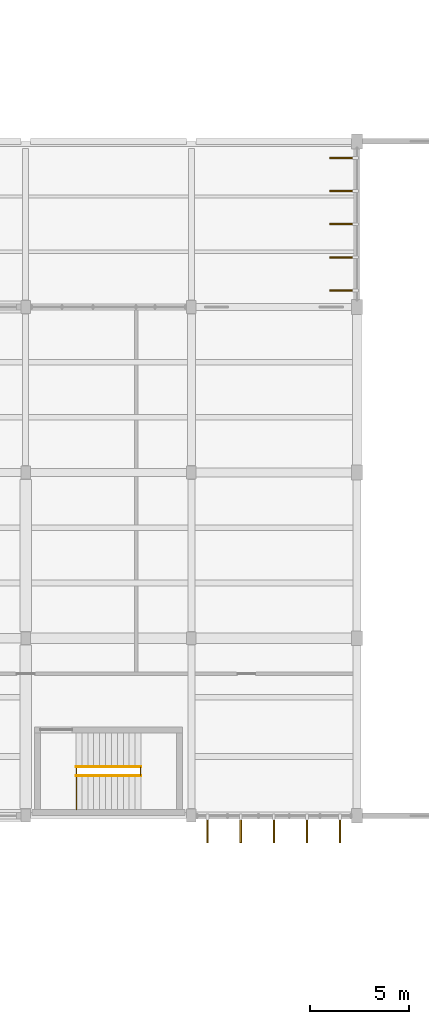
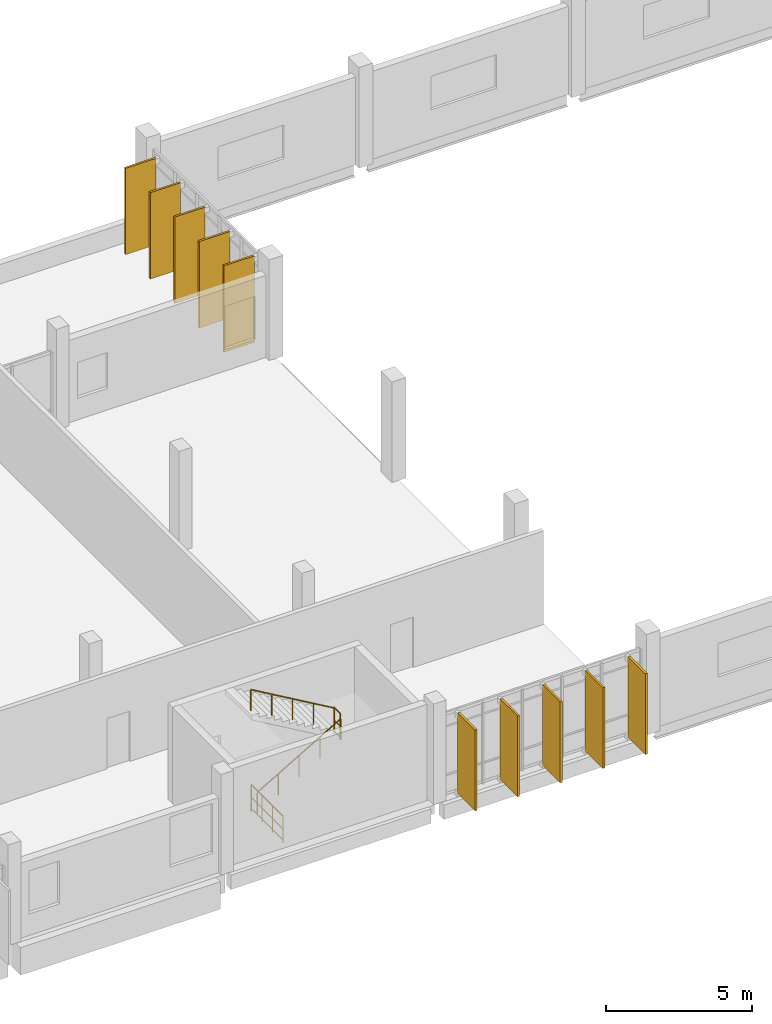
# One storey, part 100 of 101: 10 shading devices, 4 railings.
"""IFC4 building model written with IfcOpenShell, lengths in metres."""

from ifc_helpers import new_model, si_unit, direction, frame, origin, origin_2d, place, context, subcontext, project, spatial, rectangle, circle, extrude, material, material_profile, profile_set, type_object, element, save


model = new_model("IFC4")

# Units and contexts
model_context = context("Model", 3, precision=1e-05, world=origin(), true_north=direction((0.0, 1.0)))
body_context = subcontext(model_context, "Body", "Model", "MODEL_VIEW")
ifc_project = project(units=[si_unit("LENGTHUNIT", "METRE"), si_unit("AREAUNIT", "SQUARE_METRE"), si_unit("VOLUMEUNIT", "CUBIC_METRE"), si_unit("PLANEANGLEUNIT", "RADIAN"), si_unit("MASSUNIT", "GRAM", prefix="KILO")], contexts=[model_context])

# Site, building, storey
site_placement = place(None, origin())
site = spatial("IfcSite", under=ifc_project, at=site_placement, CompositionType="ELEMENT")
building_placement = place(site_placement, origin())
building = spatial("IfcBuilding", under=site, at=building_placement, Name="Vireocrest Preparatory School", CompositionType="ELEMENT")
storey_placement = place(building_placement, frame((0.0, 0.0, 4.800048828125)))
storey = spatial("IfcBuildingStorey", under=building, at=storey_placement, Name="L01", CompositionType="ELEMENT", Elevation=4.800048828125)

# Railings
ifc_material_1 = material(Name="Brushed stainless steel AISI 316", Category="steel")
railing_type_1 = type_object("IfcRailingType", Name="Post-and-Rail Guard Balustrade 1120", PredefinedType="BALUSTRADE", material=ifc_material_1)
railing_1_placement = place(storey_placement, frame((128.570068359375, 18.300048828125, 0.0)))
element("IfcRailing", 1, at=railing_1_placement, inside=storey, type_object=railing_type_1, Name="Arrival Landing Guard ST6-L00", PredefinedType="BALUSTRADE", context=body_context, shape_type="SweptSolid", body=[
    extrude(circle(Radius=0.02392578125, at=origin_2d()), frame((0.0, 0.0, 1.09619140625), z_axis=(0.0, 1.0, 0.0), x_axis=(-1.0, 0.0, 0.0)), (0.0, 0.0, 1.0), 2.169921875),
    extrude(circle(Radius=0.01806640625, at=origin_2d()), frame((0.0, 0.0, 0.56005859375), z_axis=(0.0, 1.0, 0.0), x_axis=(-1.0, 0.0, 0.0)), (0.0, 0.0, 1.0), 2.169921875),
    extrude(circle(Radius=0.01806640625, at=origin_2d()), frame((0.0, 0.0, 0.10009765625), z_axis=(0.0, 1.0, 0.0), x_axis=(-1.0, 0.0, 0.0)), (0.0, 0.0, 1.0), 2.169921875),
    extrude(circle(Radius=0.02099609375, at=origin_2d()), origin(), (0.0, 0.0, 1.0), 1.072021484375),
    extrude(circle(Radius=0.02099609375, at=origin_2d()), frame((0.0, 0.723388671875, 0.0)), (0.0, 0.0, 1.0), 1.072021484375),
    extrude(circle(Radius=0.02099609375, at=origin_2d()), frame((0.0, 1.446533203125, 0.0)), (0.0, 0.0, 1.0), 1.072021484375),
    extrude(circle(Radius=0.02099609375, at=origin_2d()), frame((0.0, 2.169921875, 0.0)), (0.0, 0.0, 1.0), 1.072021484375),
])
railing_2_placement = place(storey_placement, frame((131.830078125, 20.030029296875, 2.099853515625)))
element("IfcRailing", 2, at=railing_2_placement, inside=storey, type_object=railing_type_1, Name="Half-Landing Well Guard ST6-L01", PredefinedType="BALUSTRADE", context=body_context, shape_type="SweptSolid", body=[
    extrude(circle(Radius=0.02392578125, at=origin_2d()), frame((0.0, 0.0, 1.09619140625), z_axis=(0.0, 1.0, 0.0), x_axis=(-1.0, 0.0, 0.0)), (0.0, 0.0, 1.0), 0.43994140625),
    extrude(circle(Radius=0.01806640625, at=origin_2d()), frame((0.0, 0.0, 0.56005859375), z_axis=(0.0, 1.0, 0.0), x_axis=(-1.0, 0.0, 0.0)), (0.0, 0.0, 1.0), 0.43994140625),
    extrude(circle(Radius=0.01806640625, at=origin_2d()), frame((0.0, 0.0, 0.10009765625), z_axis=(0.0, 1.0, 0.0), x_axis=(-1.0, 0.0, 0.0)), (0.0, 0.0, 1.0), 0.43994140625),
    extrude(circle(Radius=0.02099609375, at=origin_2d()), origin(), (0.0, 0.0, 1.0), 1.072021484375),
    extrude(circle(Radius=0.02099609375, at=origin_2d()), frame((0.0, 0.43994140625, 0.0)), (0.0, 0.0, 1.0), 1.072021484375),
])
railing_type_2 = type_object("IfcRailingType", Name="Stair Pitch Handrail 900", PredefinedType="HANDRAIL", material=ifc_material_1)
railing_3_placement = place(storey_placement, frame((128.550048828125, 20.030029296875, 0.175048828125)))
element("IfcRailing", 3, at=railing_3_placement, inside=storey, type_object=railing_type_2, Name="Stair Handrail ST6-L01-HR1", PredefinedType="HANDRAIL", context=body_context, shape_type="SweptSolid", body=[
    extrude(circle(Radius=0.02392578125, at=origin_2d()), frame((0.0, 0.0, 0.8759765625), z_axis=(0.863804395585, 0.0, 0.503827317807), x_axis=(0.0, 1.0, 0.0)), (0.0, 0.0, 1.0), 3.8203125),
    extrude(circle(Radius=0.02099609375, at=origin_2d()), origin(), (0.0, 0.0, 1.0), 0.851806640625),
    extrude(circle(Radius=0.02099609375, at=origin_2d()), frame((0.824951171875, 0.0, 0.481201171875)), (0.0, 0.0, 1.0), 0.851806640625),
    extrude(circle(Radius=0.02099609375, at=origin_2d()), frame((1.64990234375, 0.0, 0.96240234375)), (0.0, 0.0, 1.0), 0.851806640625),
    extrude(circle(Radius=0.02099609375, at=origin_2d()), frame((2.47509765625, 0.0, 1.443603515625)), (0.0, 0.0, 1.0), 0.851806640625),
    extrude(circle(Radius=0.02099609375, at=origin_2d()), frame((3.300048828125, 0.0, 1.9248046875)), (0.0, 0.0, 1.0), 0.851806640625),
])
railing_4_placement = place(storey_placement, frame((131.85009765625, 20.469970703125, 2.27490234375)))
element("IfcRailing", 4, at=railing_4_placement, inside=storey, type_object=railing_type_2, Name="Stair Handrail ST6-L01-HR2", PredefinedType="HANDRAIL", context=body_context, shape_type="SweptSolid", body=[
    extrude(circle(Radius=0.02392578125, at=origin_2d()), frame((0.0, 0.0, 0.8759765625), z_axis=(-0.863776583165, 0.0, 0.503874998761), x_axis=(0.0, -1.0, 0.0)), (0.0, 0.0, 1.0), 3.820556640625),
    extrude(circle(Radius=0.02099609375, at=origin_2d()), origin(), (0.0, 0.0, 1.0), 0.851806640625),
    extrude(circle(Radius=0.02099609375, at=origin_2d()), frame((-0.824951171875, 0.0, 0.481201171875)), (0.0, 0.0, 1.0), 0.851806640625),
    extrude(circle(Radius=0.02099609375, at=origin_2d()), frame((-1.64990234375, 0.0, 0.96240234375)), (0.0, 0.0, 1.0), 0.851806640625),
    extrude(circle(Radius=0.02099609375, at=origin_2d()), frame((-2.47509765625, 0.0, 1.44384765625)), (0.0, 0.0, 1.0), 0.851806640625),
    extrude(circle(Radius=0.02099609375, at=origin_2d()), frame((-3.300048828125, 0.0, 1.925048828125)), (0.0, 0.0, 1.0), 0.851806640625),
])

# Shading devices
ifc_material_2 = material(Name="Warm anodised aluminium EN AW-6063-T6", Category="aluminium")
ifc_material_profile = material_profile(ifc_material_2, rectangle(XDim=0.080078125, YDim=1.199951171875, at=origin_2d()), Name="FIN 80x1200")
ifc_profile_set = profile_set([ifc_material_profile], Name="Warm anodised aluminium EN AW-6063-T6")
shading_device_type = type_object("IfcShadingDeviceType", Name="Vertical Anodised Aluminium Solar Fin 1200", PredefinedType="USERDEFINED", material=ifc_profile_set)
for number, where, z_axis, x_axis, name in (
    (5, (135.2275390625, 17.219970703125, 0.02001953125), (0.0, 0.0, 1.0), (-1.0, 0.0, 0.0), "Vertical Solar Fin FN1 L01-5-1"),
    (6, (136.907470703125, 17.219970703125, 0.02001953125), (0.0, 0.0, 1.0), (-1.0, 0.0, 0.0), "Vertical Solar Fin FN1 L01-5-2"),
    (7, (138.58740234375, 17.219970703125, 0.02001953125), (0.0, 0.0, 1.0), (-1.0, 0.0, 0.0), "Vertical Solar Fin FN1 L01-5-3"),
    (8, (140.267578125, 17.219970703125, 0.02001953125), (0.0, 0.0, 1.0), (-1.0, 0.0, 0.0), "Vertical Solar Fin FN1 L01-5-4"),
    (9, (141.947509765625, 17.219970703125, 0.02001953125), (0.0, 0.0, 1.0), (-1.0, 0.0, 0.0), "Vertical Solar Fin FN1 L01-5-5"),
):
    element("IfcShadingDevice", number, at=place(storey_placement, frame(where, z_axis=z_axis, x_axis=x_axis)), inside=storey, type_object=shading_device_type, Name=name, ObjectType="FIN", PredefinedType="USERDEFINED", context=body_context, shape_type="SweptSolid", body=[
        extrude(rectangle(XDim=0.080078125, YDim=1.199951171875, at=origin_2d()), origin(), (0.0, 0.0, 1.0), 3.369873046875),
    ])
for number, where, z_axis, x_axis, name in (
    (10, (142.02001953125, 44.639892578125, 0.02001953125), (0.0, 0.0, 1.0), (0.0, 1.0, 0.0), "Vertical Solar Fin FN1 L01-6-1"),
    (11, (142.02001953125, 46.320068359375, 0.02001953125), (0.0, 0.0, 1.0), (0.0, 1.0, 0.0), "Vertical Solar Fin FN1 L01-6-2"),
    (12, (142.02001953125, 48.0, 0.02001953125), (0.0, 0.0, 1.0), (0.0, 1.0, 0.0), "Vertical Solar Fin FN1 L01-6-3"),
    (13, (142.02001953125, 49.679931640625, 0.02001953125), (0.0, 0.0, 1.0), (0.0, 1.0, 0.0), "Vertical Solar Fin FN1 L01-6-4"),
    (14, (142.02001953125, 51.360107421875, 0.02001953125), (0.0, 0.0, 1.0), (0.0, 1.0, 0.0), "Vertical Solar Fin FN1 L01-6-5"),
):
    element("IfcShadingDevice", number, at=place(storey_placement, frame(where, z_axis=z_axis, x_axis=x_axis)), inside=storey, type_object=shading_device_type, Name=name, ObjectType="FIN", PredefinedType="USERDEFINED", context=body_context, shape_type="SweptSolid", body=[
        extrude(rectangle(XDim=0.080078125, YDim=1.199951171875, at=origin_2d()), origin(), (0.0, 0.0, 1.0), 3.60693359375),
    ])

save(model, "model.ifc")
